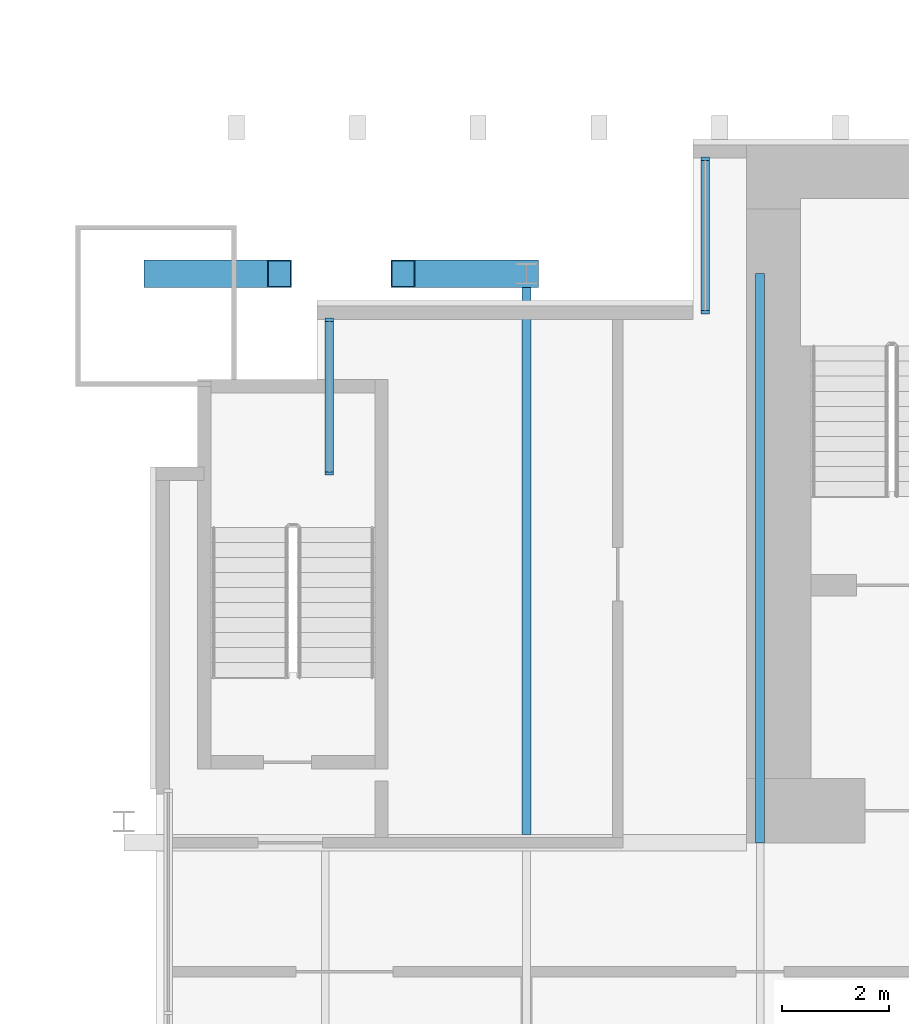
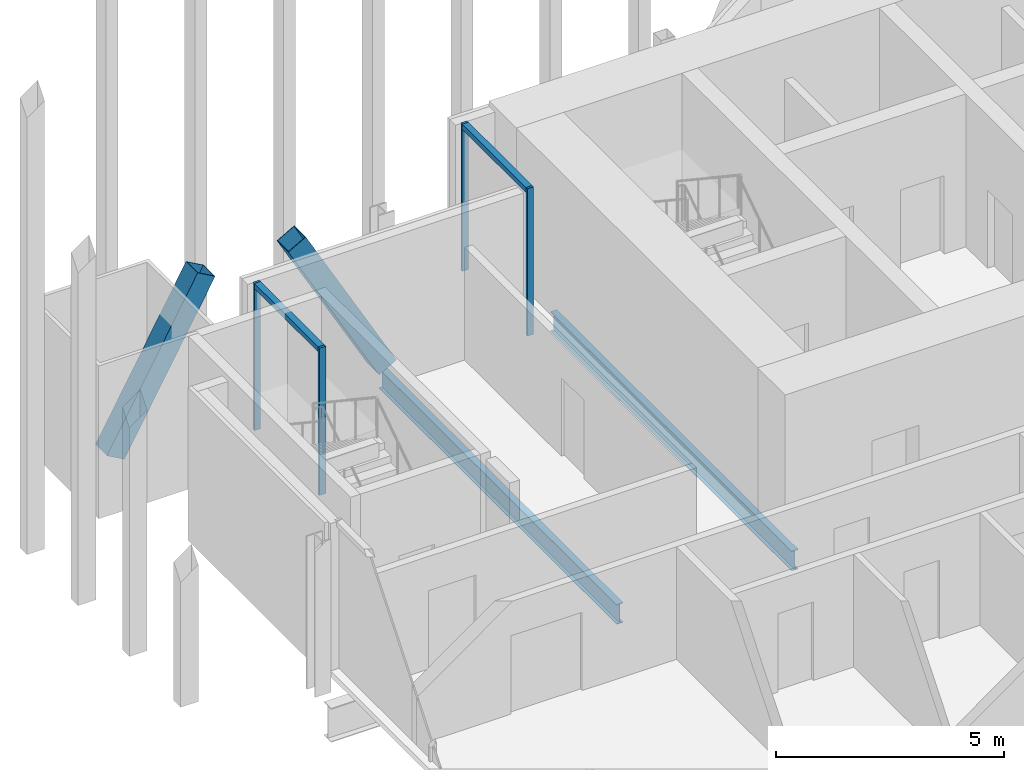
# One storey, part 9 of 22: 8 members, 2 beams, 2 elements without a shape of their own.
"""IFC4 building model written with IfcOpenShell, lengths in metres."""

from ifc_helpers import new_model, si_unit, direction, frame, origin, origin_2d, place, context, subcontext, project, spatial, rectangle, hollow_rectangle, i_section, extrude, material, material_profile, profile_set, type_object, element, aggregate, save


model = new_model("IFC4")

# Units and contexts
model_context = context("Model", 3, precision=1e-05, world=origin(), true_north=direction((0.0, 1.0)))
body_context = subcontext(model_context, "Body", "Model", "MODEL_VIEW")
ifc_project = project(units=[si_unit("LENGTHUNIT", "METRE"), si_unit("AREAUNIT", "SQUARE_METRE"), si_unit("VOLUMEUNIT", "CUBIC_METRE"), si_unit("PLANEANGLEUNIT", "RADIAN"), si_unit("MASSUNIT", "GRAM", prefix="KILO")], contexts=[model_context])

# Site, building, storey
site_placement = place(None, origin())
site = spatial("IfcSite", under=ifc_project, at=site_placement, CompositionType="ELEMENT")
building_placement = place(site_placement, origin())
building = spatial("IfcBuilding", under=site, at=building_placement, Name="Bicima Exchange Tower", CompositionType="ELEMENT")
storey_placement = place(building_placement, frame((0.0, 0.0, 89.89990234375)))
storey = spatial("IfcBuildingStorey", under=building, at=storey_placement, Name="L18", CompositionType="ELEMENT", Elevation=89.89990234375)

# Beams
ifc_material_1 = material(Name="Steel ASTM A992 Gr 50", Category="steel")
ifc_material_profile_1 = material_profile(ifc_material_1, i_section(OverallWidth=0.165771484375, OverallDepth=0.5283203125, WebThickness=0.009765625, FlangeThickness=0.013671875, at=origin_2d()))
ifc_profile_set_1 = profile_set([ifc_material_profile_1], Name="Steel ASTM A992 Gr 50")
beam_type = type_object("IfcBeamType", Name="Floor beam W21x50", PredefinedType="JOIST", material=ifc_profile_set_1)
beam_1_placement = place(storey_placement, frame((-26.10009765625, -2.39990234375, -0.4140625), z_axis=(0.0, -1.0, 0.0), x_axis=(1.0, 0.0, 0.0)))
element("IfcBeam", 1, at=beam_1_placement, inside=storey, type_object=beam_type, Name="Floor beam", PredefinedType="JOIST", context=body_context, shape_type="SweptSolid", body=[
    extrude(i_section(OverallWidth=0.165771484375, OverallDepth=0.5283203125, WebThickness=0.009765625, FlangeThickness=0.013671875, at=origin_2d()), origin(), (0.0, 0.0, 1.0), 10.44775390625),
])
beam_2_placement = place(storey_placement, frame((-21.75, -2.39990234375, -0.4140625), z_axis=(0.0, -1.0, 0.0), x_axis=(1.0, 0.0, 0.0)))
element("IfcBeam", 2, at=beam_2_placement, inside=storey, type_object=beam_type, Name="Floor beam", PredefinedType="JOIST", context=body_context, shape_type="SweptSolid", body=[
    extrude(i_section(OverallWidth=0.165771484375, OverallDepth=0.5283203125, WebThickness=0.009765625, FlangeThickness=0.013671875, at=origin_2d()), origin(), (0.0, 0.0, 1.0), 10.60009765625),
])

# Curtain wall, members
ifc_material_2 = material(Name="Anodised bronze aluminium", Category="aluminium")
curtain_wall_type = type_object("IfcCurtainWallType", Name="Front glass wall", PredefinedType="NOTDEFINED", material=ifc_material_2)
curtain_wall_1_placement = place(storey_placement, origin())
curtain_wall_1 = element("IfcCurtainWall", 3, at=curtain_wall_1_placement, inside=storey, type_object=curtain_wall_type, Name="Front glass wall L18 run 4", PredefinedType="NOTDEFINED")
ifc_material_profile_2 = material_profile(ifc_material_2, rectangle(XDim=0.159912109375, YDim=0.06005859375, at=origin_2d()))
ifc_profile_set_2 = profile_set([ifc_material_profile_2], Name="Anodised bronze aluminium")
member_type_1 = type_object("IfcMemberType", Name="Front glass wall mullion 60 x 160", PredefinedType="MULLION", material=ifc_profile_set_2)
member_1_placement = place(storey_placement, frame((-22.77001953125, -0.260009765625, 0.0), z_axis=(0.0, 0.0, 1.0), x_axis=(1.0, 0.0, 0.0)))
member_1 = element("IfcMember", 4, at=member_1_placement, type_object=member_type_1, Name="Front glass wall mullion 1", PredefinedType="MULLION", context=body_context, shape_type="SweptSolid", body=[
    extrude(rectangle(XDim=0.159912109375, YDim=0.06005859375, at=origin_2d()), origin(), (0.0, 0.0, 1.0), 3.9501953125),
])
member_2_placement = place(storey_placement, frame((-22.77001953125, -3.1201171875, 0.0), z_axis=(0.0, 0.0, 1.0), x_axis=(1.0, 0.0, 0.0)))
member_2 = element("IfcMember", 5, at=member_2_placement, type_object=member_type_1, Name="Front glass wall mullion 2", PredefinedType="MULLION", context=body_context, shape_type="SweptSolid", body=[
    extrude(rectangle(XDim=0.159912109375, YDim=0.06005859375, at=origin_2d()), origin(), (0.0, 0.0, 1.0), 3.9501953125),
])

curtain_wall_2_placement = place(storey_placement, origin())
curtain_wall_2 = element("IfcCurtainWall", 6, at=curtain_wall_2_placement, inside=storey, type_object=curtain_wall_type, Name="Front glass wall L18 run 5", PredefinedType="NOTDEFINED")
member_3_placement = place(storey_placement, frame((-29.77001953125, -3.260009765625, 0.0), z_axis=(0.0, 0.0, 1.0), x_axis=(1.0, 0.0, 0.0)))
member_3 = element("IfcMember", 7, at=member_3_placement, type_object=member_type_1, Name="Front glass wall mullion 1", PredefinedType="MULLION", context=body_context, shape_type="SweptSolid", body=[
    extrude(rectangle(XDim=0.159912109375, YDim=0.06005859375, at=origin_2d()), origin(), (0.0, 0.0, 1.0), 3.9501953125),
])
member_4_placement = place(storey_placement, frame((-29.77001953125, -6.1201171875, 0.0), z_axis=(0.0, 0.0, 1.0), x_axis=(1.0, 0.0, 0.0)))
member_4 = element("IfcMember", 8, at=member_4_placement, type_object=member_type_1, Name="Front glass wall mullion 2", PredefinedType="MULLION", context=body_context, shape_type="SweptSolid", body=[
    extrude(rectangle(XDim=0.159912109375, YDim=0.06005859375, at=origin_2d()), origin(), (0.0, 0.0, 1.0), 3.9501953125),
])

# Member
ifc_material_profile_3 = material_profile(ifc_material_2, rectangle(XDim=0.159912109375, YDim=0.139892578125, at=origin_2d()))
ifc_profile_set_3 = profile_set([ifc_material_profile_3], Name="Anodised bronze aluminium")
member_type_2 = type_object("IfcMemberType", Name="Front glass wall transom 140 x 160", PredefinedType="USERDEFINED", material=ifc_profile_set_3)
member_5_placement = place(storey_placement, frame((-22.77001953125, -0.2900390625, 3.880126953125), z_axis=(0.0, -1.0, 0.0), x_axis=(1.0, 0.0, 0.0)))
member_5 = element("IfcMember", 9, at=member_5_placement, type_object=member_type_2, Name="Front glass wall transom 1.1", ObjectType="TRANSOM", PredefinedType="USERDEFINED", context=body_context, shape_type="SweptSolid", body=[
    extrude(rectangle(XDim=0.159912109375, YDim=0.139892578125, at=origin_2d()), origin(), (0.0, 0.0, 1.0), 2.800048828125),
])

aggregate(curtain_wall_1, [member_1, member_2, member_5])

member_6_placement = place(storey_placement, frame((-29.77001953125, -3.2900390625, 3.880126953125), z_axis=(0.0, -1.0, 0.0), x_axis=(1.0, 0.0, 0.0)))
member_6 = element("IfcMember", 10, at=member_6_placement, type_object=member_type_2, Name="Front glass wall transom 1.1", ObjectType="TRANSOM", PredefinedType="USERDEFINED", context=body_context, shape_type="SweptSolid", body=[
    extrude(rectangle(XDim=0.159912109375, YDim=0.139892578125, at=origin_2d()), origin(), (0.0, 0.0, 1.0), 2.800048828125),
])

aggregate(curtain_wall_2, [member_3, member_4, member_6])

# Members
ifc_material_3 = material(Name="Steel ASTM A572 Gr 50", Category="steel")
ifc_material_profile_4 = material_profile(ifc_material_3, hollow_rectangle(XDim=0.508056640625, YDim=0.508056640625, WallThickness=0.0146484375, at=origin_2d()))
ifc_profile_set_4 = profile_set([ifc_material_profile_4], Name="Steel ASTM A572 Gr 50")
member_type_3 = type_object("IfcMemberType", Name="Mega brace HSS20x20x5/8", PredefinedType="BRACE", material=ifc_profile_set_4)
for number, where, z_axis, x_axis, name in (
    (11, (-33.0, -2.39990234375, 0.0), (0.489250010841, 0.0, 0.87214358158), (0.0, 1.0, 0.0), "Mega brace rear"),
    (12, (-26.10009765625, -2.39990234375, 0.0), (-0.489210508179, 0.0, 0.872165740377), (0.0, -1.0, 0.0), "Mega brace rear"),
):
    element("IfcMember", number, at=place(storey_placement, frame(where, z_axis=z_axis, x_axis=x_axis)), inside=storey, type_object=member_type_3, Name=name, PredefinedType="BRACE", context=body_context, shape_type="SweptSolid", body=[
        extrude(hollow_rectangle(XDim=0.508056640625, YDim=0.508056640625, WallThickness=0.0146484375, at=origin_2d()), origin(), (0.0, 0.0, 1.0), 4.701171875),
    ])

save(model, "model.ifc")
